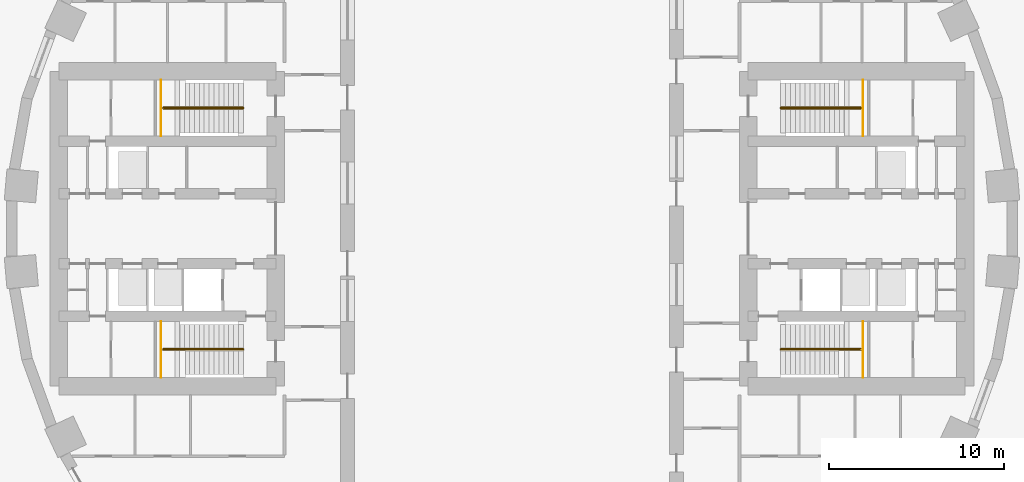
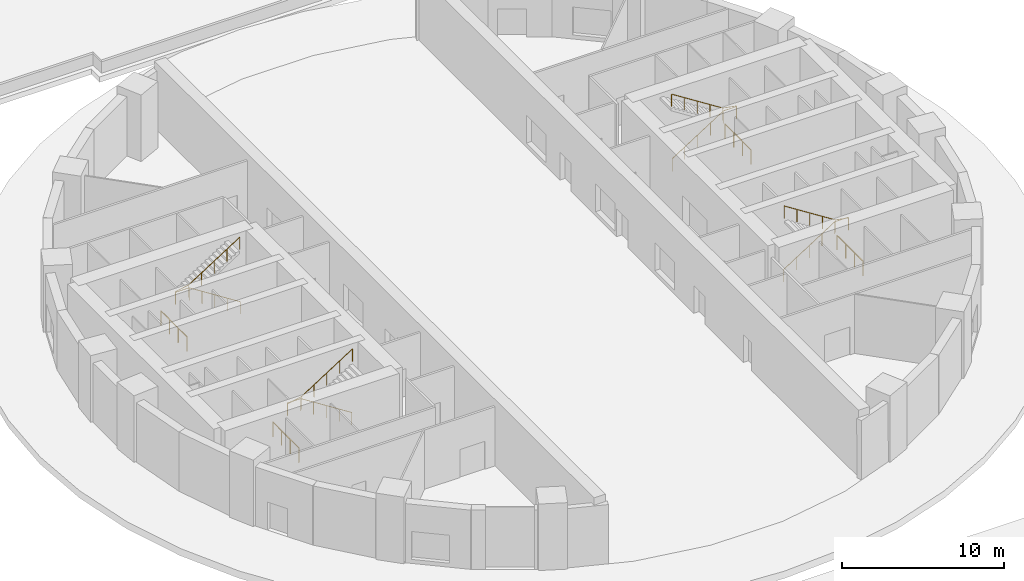
# One storey, part 9 of 10: 8 railings.
"""IFC4 building model written with IfcOpenShell, lengths in metres."""

from ifc_helpers import new_model, si_unit, direction, frame, origin, origin_2d, place, context, subcontext, project, spatial, circle, extrude, material, type_object, element, save


model = new_model("IFC4")

# Units and contexts
model_context = context("Model", 3, precision=1e-05, world=origin(), true_north=direction((0.0, 1.0)))
body_context = subcontext(model_context, "Body", "Model", "MODEL_VIEW")
ifc_project = project(units=[si_unit("LENGTHUNIT", "METRE"), si_unit("AREAUNIT", "SQUARE_METRE"), si_unit("VOLUMEUNIT", "CUBIC_METRE"), si_unit("PLANEANGLEUNIT", "RADIAN"), si_unit("MASSUNIT", "GRAM", prefix="KILO")], contexts=[model_context])

# Site, building, storey
site_placement = place(None, origin())
site = spatial("IfcSite", under=ifc_project, at=site_placement, CompositionType="ELEMENT")
building_placement = place(site_placement, origin())
building = spatial("IfcBuilding", under=site, at=building_placement, Name="Saqina Gate Tower", CompositionType="ELEMENT")
storey_placement = place(building_placement, origin())
storey = spatial("IfcBuildingStorey", under=building, at=storey_placement, Name="L00", CompositionType="ELEMENT", Elevation=0.0)

# Railings
ifc_material_1 = material(Name="Stainless steel", Category="steel")
railing_type_1 = type_object("IfcRailingType", Name="STAIR GUARD", PredefinedType="GUARDRAIL", material=ifc_material_1)
railing_1_placement = place(storey_placement, frame((20.06005859375, 5.300048828125, 0.0)))
element("IfcRailing", 1, at=railing_1_placement, inside=storey, type_object=railing_type_1, Name="STAIR GUARD", PredefinedType="GUARDRAIL", context=body_context, shape_type="SweptSolid", body=[
    extrude(circle(Radius=0.02392578125, at=origin_2d()), frame((0.0, 0.0, 1.076171875), z_axis=(0.0, 1.0, 0.0), x_axis=(-1.0, 0.0, 0.0)), (0.0, 0.0, 1.0), 3.199951171875),
    extrude(circle(Radius=0.02099609375, at=origin_2d()), origin(), (0.0, 0.0, 1.0), 1.052001953125),
    extrude(circle(Radius=0.02099609375, at=origin_2d()), frame((0.0, 1.066650390625, 0.0)), (0.0, 0.0, 1.0), 1.052001953125),
    extrude(circle(Radius=0.02099609375, at=origin_2d()), frame((0.0, 2.13330078125, 0.0)), (0.0, 0.0, 1.0), 1.052001953125),
    extrude(circle(Radius=0.02099609375, at=origin_2d()), frame((0.0, 3.199951171875, 0.0)), (0.0, 0.0, 1.0), 1.052001953125),
])
railing_2_placement = place(storey_placement, frame((20.06005859375, -5.300048828125, 0.0)))
element("IfcRailing", 2, at=railing_2_placement, inside=storey, type_object=railing_type_1, Name="STAIR GUARD", PredefinedType="GUARDRAIL", context=body_context, shape_type="SweptSolid", body=[
    extrude(circle(Radius=0.02392578125, at=origin_2d()), frame((0.0, 0.0, 1.076171875), z_axis=(0.0, -1.0, 0.0), x_axis=(1.0, 0.0, 0.0)), (0.0, 0.0, 1.0), 3.199951171875),
    extrude(circle(Radius=0.02099609375, at=origin_2d()), origin(), (0.0, 0.0, 1.0), 1.052001953125),
    extrude(circle(Radius=0.02099609375, at=origin_2d()), frame((0.0, -1.066650390625, 0.0)), (0.0, 0.0, 1.0), 1.052001953125),
    extrude(circle(Radius=0.02099609375, at=origin_2d()), frame((0.0, -2.13330078125, 0.0)), (0.0, 0.0, 1.0), 1.052001953125),
    extrude(circle(Radius=0.02099609375, at=origin_2d()), frame((0.0, -3.199951171875, 0.0)), (0.0, 0.0, 1.0), 1.052001953125),
])
railing_3_placement = place(storey_placement, frame((-20.06005859375, 5.300048828125, 0.0)))
element("IfcRailing", 3, at=railing_3_placement, inside=storey, type_object=railing_type_1, Name="STAIR GUARD", PredefinedType="GUARDRAIL", context=body_context, shape_type="SweptSolid", body=[
    extrude(circle(Radius=0.02392578125, at=origin_2d()), frame((0.0, 0.0, 1.076171875), z_axis=(0.0, 1.0, 0.0), x_axis=(-1.0, 0.0, 0.0)), (0.0, 0.0, 1.0), 3.199951171875),
    extrude(circle(Radius=0.02099609375, at=origin_2d()), origin(), (0.0, 0.0, 1.0), 1.052001953125),
    extrude(circle(Radius=0.02099609375, at=origin_2d()), frame((0.0, 1.066650390625, 0.0)), (0.0, 0.0, 1.0), 1.052001953125),
    extrude(circle(Radius=0.02099609375, at=origin_2d()), frame((0.0, 2.13330078125, 0.0)), (0.0, 0.0, 1.0), 1.052001953125),
    extrude(circle(Radius=0.02099609375, at=origin_2d()), frame((0.0, 3.199951171875, 0.0)), (0.0, 0.0, 1.0), 1.052001953125),
])
railing_4_placement = place(storey_placement, frame((-20.06005859375, -5.300048828125, 0.0)))
element("IfcRailing", 4, at=railing_4_placement, inside=storey, type_object=railing_type_1, Name="STAIR GUARD", PredefinedType="GUARDRAIL", context=body_context, shape_type="SweptSolid", body=[
    extrude(circle(Radius=0.02392578125, at=origin_2d()), frame((0.0, 0.0, 1.076171875), z_axis=(0.0, -1.0, 0.0), x_axis=(1.0, 0.0, 0.0)), (0.0, 0.0, 1.0), 3.199951171875),
    extrude(circle(Radius=0.02099609375, at=origin_2d()), origin(), (0.0, 0.0, 1.0), 1.052001953125),
    extrude(circle(Radius=0.02099609375, at=origin_2d()), frame((0.0, -1.066650390625, 0.0)), (0.0, 0.0, 1.0), 1.052001953125),
    extrude(circle(Radius=0.02099609375, at=origin_2d()), frame((0.0, -2.13330078125, 0.0)), (0.0, 0.0, 1.0), 1.052001953125),
    extrude(circle(Radius=0.02099609375, at=origin_2d()), frame((0.0, -3.199951171875, 0.0)), (0.0, 0.0, 1.0), 1.052001953125),
])
ifc_material_2 = material(Name="Stainless steel", Category="steel")
railing_type_2 = type_object("IfcRailingType", Name="STAIR HANDRAIL", PredefinedType="HANDRAIL", material=ifc_material_2)
railing_5_placement = place(storey_placement, frame((15.35009765625, 6.86669921875, 0.178466796875)))
element("IfcRailing", 5, at=railing_5_placement, inside=storey, type_object=railing_type_2, Name="EXIT STAIR 1 HANDRAIL", PredefinedType="HANDRAIL", context=body_context, shape_type="SweptSolid", body=[
    extrude(circle(Radius=0.02392578125, at=origin_2d()), frame((0.0, 0.0, 0.92578125), z_axis=(0.843111507901, 0.0, 0.53773877045), x_axis=(0.0, 1.0, 0.0)), (0.0, 0.0, 1.0), 4.317138671875),
    extrude(circle(Radius=0.02392578125, at=origin_2d()), frame((3.639892578125, 0.0, 3.24755859375), z_axis=(1.0, 0.0, 0.0), x_axis=(0.0, 1.0, 0.0)), (0.0, 0.0, 1.0), 0.949951171875),
    extrude(circle(Radius=0.02392578125, at=origin_2d()), frame((4.58984375, 0.0, 3.24755859375), z_axis=(0.0, 1.0, 0.0), x_axis=(-1.0, 0.0, 0.0)), (0.0, 0.0, 1.0), 0.066650390625),
    extrude(circle(Radius=0.02392578125, at=origin_2d()), frame((4.58984375, 0.066650390625, 3.24755859375), z_axis=(-0.982806357057, 0.0, 0.184639282192), x_axis=(0.0, -1.0, 0.0)), (0.0, 0.0, 1.0), 0.966552734375),
    extrude(circle(Radius=0.02392578125, at=origin_2d()), frame((3.639892578125, 0.066650390625, 3.42578125), z_axis=(-0.843111507901, 0.0, 0.53773877045), x_axis=(0.0, -1.0, 0.0)), (0.0, 0.0, 1.0), 4.317138671875),
    extrude(circle(Radius=0.02099609375, at=origin_2d()), origin(), (0.0, 0.0, 1.0), 0.90185546875),
    extrude(circle(Radius=0.02099609375, at=origin_2d()), frame((0.909912109375, 0.0, 0.580322265625)), (0.0, 0.0, 1.0), 0.90185546875),
    extrude(circle(Radius=0.02099609375, at=origin_2d()), frame((1.81982421875, 0.0, 1.16064453125)), (0.0, 0.0, 1.0), 0.90185546875),
    extrude(circle(Radius=0.02099609375, at=origin_2d()), frame((2.72998046875, 0.0, 1.7412109375)), (0.0, 0.0, 1.0), 0.90185546875),
    extrude(circle(Radius=0.02099609375, at=origin_2d()), frame((3.639892578125, 0.0, 2.321533203125)), (0.0, 0.0, 1.0), 0.90185546875),
    extrude(circle(Radius=0.02099609375, at=origin_2d()), frame((4.58984375, 0.0, 2.321533203125)), (0.0, 0.0, 1.0), 0.90185546875),
    extrude(circle(Radius=0.02099609375, at=origin_2d()), frame((4.58984375, 0.066650390625, 2.321533203125)), (0.0, 0.0, 1.0), 0.90185546875),
    extrude(circle(Radius=0.02099609375, at=origin_2d()), frame((3.639892578125, 0.066650390625, 2.5)), (0.0, 0.0, 1.0), 0.90185546875),
    extrude(circle(Radius=0.02099609375, at=origin_2d()), frame((2.72998046875, 0.066650390625, 3.080322265625)), (0.0, 0.0, 1.0), 0.90185546875),
    extrude(circle(Radius=0.02099609375, at=origin_2d()), frame((1.81982421875, 0.066650390625, 3.66064453125)), (0.0, 0.0, 1.0), 0.90185546875),
    extrude(circle(Radius=0.02099609375, at=origin_2d()), frame((0.909912109375, 0.066650390625, 4.2412109375)), (0.0, 0.0, 1.0), 0.90185546875),
    extrude(circle(Radius=0.02099609375, at=origin_2d()), frame((0.0, 0.066650390625, 4.821533203125)), (0.0, 0.0, 1.0), 0.90185546875),
])
railing_6_placement = place(storey_placement, frame((15.35009765625, -6.86669921875, 0.178466796875)))
element("IfcRailing", 6, at=railing_6_placement, inside=storey, type_object=railing_type_2, Name="EXIT STAIR 2 HANDRAIL", PredefinedType="HANDRAIL", context=body_context, shape_type="SweptSolid", body=[
    extrude(circle(Radius=0.02392578125, at=origin_2d()), frame((0.0, 0.0, 0.92578125), z_axis=(0.843111507901, 0.0, 0.53773877045), x_axis=(0.0, 1.0, 0.0)), (0.0, 0.0, 1.0), 4.317138671875),
    extrude(circle(Radius=0.02392578125, at=origin_2d()), frame((3.639892578125, 0.0, 3.24755859375), z_axis=(1.0, 0.0, 0.0), x_axis=(0.0, 1.0, 0.0)), (0.0, 0.0, 1.0), 0.949951171875),
    extrude(circle(Radius=0.02392578125, at=origin_2d()), frame((4.58984375, 0.0, 3.24755859375), z_axis=(0.0, -1.0, 0.0), x_axis=(1.0, 0.0, 0.0)), (0.0, 0.0, 1.0), 0.066650390625),
    extrude(circle(Radius=0.02392578125, at=origin_2d()), frame((4.58984375, -0.066650390625, 3.24755859375), z_axis=(-0.982806357057, 0.0, 0.184639282192), x_axis=(0.0, -1.0, 0.0)), (0.0, 0.0, 1.0), 0.966552734375),
    extrude(circle(Radius=0.02392578125, at=origin_2d()), frame((3.639892578125, -0.066650390625, 3.42578125), z_axis=(-0.843111507901, 0.0, 0.53773877045), x_axis=(0.0, -1.0, 0.0)), (0.0, 0.0, 1.0), 4.317138671875),
    extrude(circle(Radius=0.02099609375, at=origin_2d()), origin(), (0.0, 0.0, 1.0), 0.90185546875),
    extrude(circle(Radius=0.02099609375, at=origin_2d()), frame((0.909912109375, 0.0, 0.580322265625)), (0.0, 0.0, 1.0), 0.90185546875),
    extrude(circle(Radius=0.02099609375, at=origin_2d()), frame((1.81982421875, 0.0, 1.16064453125)), (0.0, 0.0, 1.0), 0.90185546875),
    extrude(circle(Radius=0.02099609375, at=origin_2d()), frame((2.72998046875, 0.0, 1.7412109375)), (0.0, 0.0, 1.0), 0.90185546875),
    extrude(circle(Radius=0.02099609375, at=origin_2d()), frame((3.639892578125, 0.0, 2.321533203125)), (0.0, 0.0, 1.0), 0.90185546875),
    extrude(circle(Radius=0.02099609375, at=origin_2d()), frame((4.58984375, 0.0, 2.321533203125)), (0.0, 0.0, 1.0), 0.90185546875),
    extrude(circle(Radius=0.02099609375, at=origin_2d()), frame((4.58984375, -0.066650390625, 2.321533203125)), (0.0, 0.0, 1.0), 0.90185546875),
    extrude(circle(Radius=0.02099609375, at=origin_2d()), frame((3.639892578125, -0.066650390625, 2.5)), (0.0, 0.0, 1.0), 0.90185546875),
    extrude(circle(Radius=0.02099609375, at=origin_2d()), frame((2.72998046875, -0.066650390625, 3.080322265625)), (0.0, 0.0, 1.0), 0.90185546875),
    extrude(circle(Radius=0.02099609375, at=origin_2d()), frame((1.81982421875, -0.066650390625, 3.66064453125)), (0.0, 0.0, 1.0), 0.90185546875),
    extrude(circle(Radius=0.02099609375, at=origin_2d()), frame((0.909912109375, -0.066650390625, 4.2412109375)), (0.0, 0.0, 1.0), 0.90185546875),
    extrude(circle(Radius=0.02099609375, at=origin_2d()), frame((0.0, -0.066650390625, 4.821533203125)), (0.0, 0.0, 1.0), 0.90185546875),
])
railing_7_placement = place(storey_placement, frame((-15.35009765625, 6.86669921875, 0.178466796875)))
element("IfcRailing", 7, at=railing_7_placement, inside=storey, type_object=railing_type_2, Name="EXIT STAIR 3 HANDRAIL", PredefinedType="HANDRAIL", context=body_context, shape_type="SweptSolid", body=[
    extrude(circle(Radius=0.02392578125, at=origin_2d()), frame((0.0, 0.0, 0.92578125), z_axis=(-0.843111507901, 0.0, 0.53773877045), x_axis=(0.0, -1.0, 0.0)), (0.0, 0.0, 1.0), 4.317138671875),
    extrude(circle(Radius=0.02392578125, at=origin_2d()), frame((-3.639892578125, 0.0, 3.24755859375), z_axis=(-1.0, 0.0, 0.0), x_axis=(0.0, -1.0, 0.0)), (0.0, 0.0, 1.0), 0.949951171875),
    extrude(circle(Radius=0.02392578125, at=origin_2d()), frame((-4.58984375, 0.0, 3.24755859375), z_axis=(0.0, 1.0, 0.0), x_axis=(-1.0, 0.0, 0.0)), (0.0, 0.0, 1.0), 0.066650390625),
    extrude(circle(Radius=0.02392578125, at=origin_2d()), frame((-4.58984375, 0.066650390625, 3.24755859375), z_axis=(0.982806357057, 0.0, 0.184639282192), x_axis=(0.0, 1.0, 0.0)), (0.0, 0.0, 1.0), 0.966552734375),
    extrude(circle(Radius=0.02392578125, at=origin_2d()), frame((-3.639892578125, 0.066650390625, 3.42578125), z_axis=(0.843111507901, 0.0, 0.53773877045), x_axis=(0.0, 1.0, 0.0)), (0.0, 0.0, 1.0), 4.317138671875),
    extrude(circle(Radius=0.02099609375, at=origin_2d()), origin(), (0.0, 0.0, 1.0), 0.90185546875),
    extrude(circle(Radius=0.02099609375, at=origin_2d()), frame((-0.909912109375, 0.0, 0.580322265625)), (0.0, 0.0, 1.0), 0.90185546875),
    extrude(circle(Radius=0.02099609375, at=origin_2d()), frame((-1.81982421875, 0.0, 1.16064453125)), (0.0, 0.0, 1.0), 0.90185546875),
    extrude(circle(Radius=0.02099609375, at=origin_2d()), frame((-2.72998046875, 0.0, 1.7412109375)), (0.0, 0.0, 1.0), 0.90185546875),
    extrude(circle(Radius=0.02099609375, at=origin_2d()), frame((-3.639892578125, 0.0, 2.321533203125)), (0.0, 0.0, 1.0), 0.90185546875),
    extrude(circle(Radius=0.02099609375, at=origin_2d()), frame((-4.58984375, 0.0, 2.321533203125)), (0.0, 0.0, 1.0), 0.90185546875),
    extrude(circle(Radius=0.02099609375, at=origin_2d()), frame((-4.58984375, 0.066650390625, 2.321533203125)), (0.0, 0.0, 1.0), 0.90185546875),
    extrude(circle(Radius=0.02099609375, at=origin_2d()), frame((-3.639892578125, 0.066650390625, 2.5)), (0.0, 0.0, 1.0), 0.90185546875),
    extrude(circle(Radius=0.02099609375, at=origin_2d()), frame((-2.72998046875, 0.066650390625, 3.080322265625)), (0.0, 0.0, 1.0), 0.90185546875),
    extrude(circle(Radius=0.02099609375, at=origin_2d()), frame((-1.81982421875, 0.066650390625, 3.66064453125)), (0.0, 0.0, 1.0), 0.90185546875),
    extrude(circle(Radius=0.02099609375, at=origin_2d()), frame((-0.909912109375, 0.066650390625, 4.2412109375)), (0.0, 0.0, 1.0), 0.90185546875),
    extrude(circle(Radius=0.02099609375, at=origin_2d()), frame((0.0, 0.066650390625, 4.821533203125)), (0.0, 0.0, 1.0), 0.90185546875),
])
railing_8_placement = place(storey_placement, frame((-15.35009765625, -6.86669921875, 0.178466796875)))
element("IfcRailing", 8, at=railing_8_placement, inside=storey, type_object=railing_type_2, Name="EXIT STAIR 4 HANDRAIL", PredefinedType="HANDRAIL", context=body_context, shape_type="SweptSolid", body=[
    extrude(circle(Radius=0.02392578125, at=origin_2d()), frame((0.0, 0.0, 0.92578125), z_axis=(-0.843111507901, 0.0, 0.53773877045), x_axis=(0.0, -1.0, 0.0)), (0.0, 0.0, 1.0), 4.317138671875),
    extrude(circle(Radius=0.02392578125, at=origin_2d()), frame((-3.639892578125, 0.0, 3.24755859375), z_axis=(-1.0, 0.0, 0.0), x_axis=(0.0, -1.0, 0.0)), (0.0, 0.0, 1.0), 0.949951171875),
    extrude(circle(Radius=0.02392578125, at=origin_2d()), frame((-4.58984375, 0.0, 3.24755859375), z_axis=(0.0, -1.0, 0.0), x_axis=(1.0, 0.0, 0.0)), (0.0, 0.0, 1.0), 0.066650390625),
    extrude(circle(Radius=0.02392578125, at=origin_2d()), frame((-4.58984375, -0.066650390625, 3.24755859375), z_axis=(0.982806357057, 0.0, 0.184639282192), x_axis=(0.0, 1.0, 0.0)), (0.0, 0.0, 1.0), 0.966552734375),
    extrude(circle(Radius=0.02392578125, at=origin_2d()), frame((-3.639892578125, -0.066650390625, 3.42578125), z_axis=(0.843111507901, 0.0, 0.53773877045), x_axis=(0.0, 1.0, 0.0)), (0.0, 0.0, 1.0), 4.317138671875),
    extrude(circle(Radius=0.02099609375, at=origin_2d()), origin(), (0.0, 0.0, 1.0), 0.90185546875),
    extrude(circle(Radius=0.02099609375, at=origin_2d()), frame((-0.909912109375, 0.0, 0.580322265625)), (0.0, 0.0, 1.0), 0.90185546875),
    extrude(circle(Radius=0.02099609375, at=origin_2d()), frame((-1.81982421875, 0.0, 1.16064453125)), (0.0, 0.0, 1.0), 0.90185546875),
    extrude(circle(Radius=0.02099609375, at=origin_2d()), frame((-2.72998046875, 0.0, 1.7412109375)), (0.0, 0.0, 1.0), 0.90185546875),
    extrude(circle(Radius=0.02099609375, at=origin_2d()), frame((-3.639892578125, 0.0, 2.321533203125)), (0.0, 0.0, 1.0), 0.90185546875),
    extrude(circle(Radius=0.02099609375, at=origin_2d()), frame((-4.58984375, 0.0, 2.321533203125)), (0.0, 0.0, 1.0), 0.90185546875),
    extrude(circle(Radius=0.02099609375, at=origin_2d()), frame((-4.58984375, -0.066650390625, 2.321533203125)), (0.0, 0.0, 1.0), 0.90185546875),
    extrude(circle(Radius=0.02099609375, at=origin_2d()), frame((-3.639892578125, -0.066650390625, 2.5)), (0.0, 0.0, 1.0), 0.90185546875),
    extrude(circle(Radius=0.02099609375, at=origin_2d()), frame((-2.72998046875, -0.066650390625, 3.080322265625)), (0.0, 0.0, 1.0), 0.90185546875),
    extrude(circle(Radius=0.02099609375, at=origin_2d()), frame((-1.81982421875, -0.066650390625, 3.66064453125)), (0.0, 0.0, 1.0), 0.90185546875),
    extrude(circle(Radius=0.02099609375, at=origin_2d()), frame((-0.909912109375, -0.066650390625, 4.2412109375)), (0.0, 0.0, 1.0), 0.90185546875),
    extrude(circle(Radius=0.02099609375, at=origin_2d()), frame((0.0, -0.066650390625, 4.821533203125)), (0.0, 0.0, 1.0), 0.90185546875),
])

save(model, "model.ifc")
